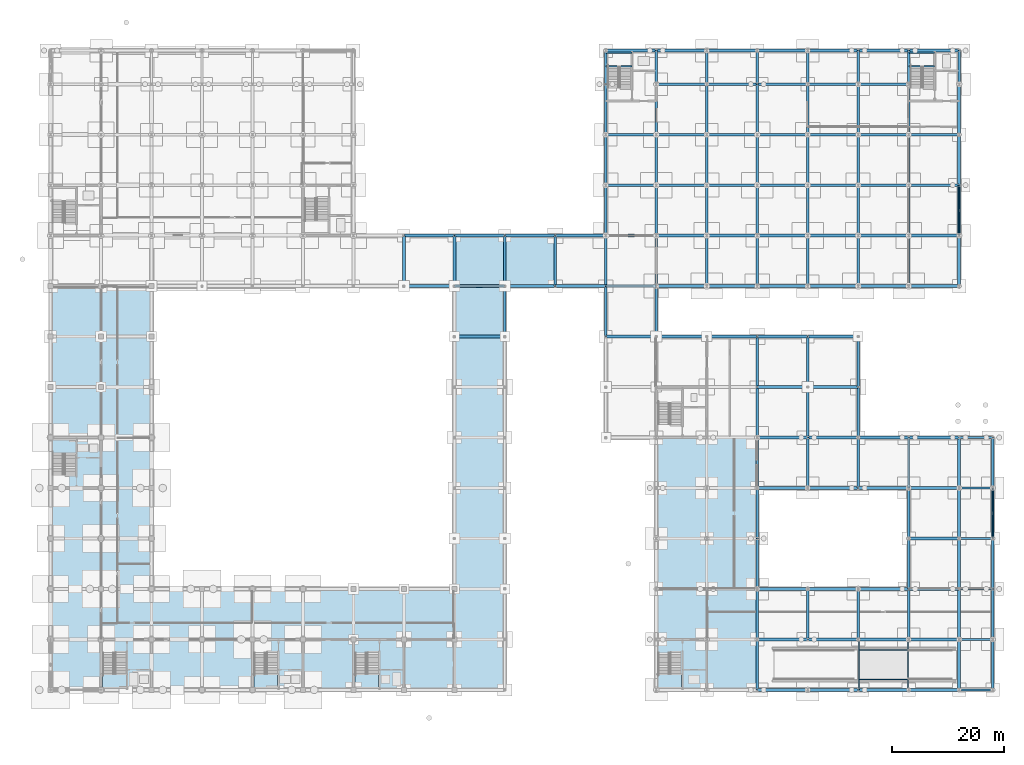
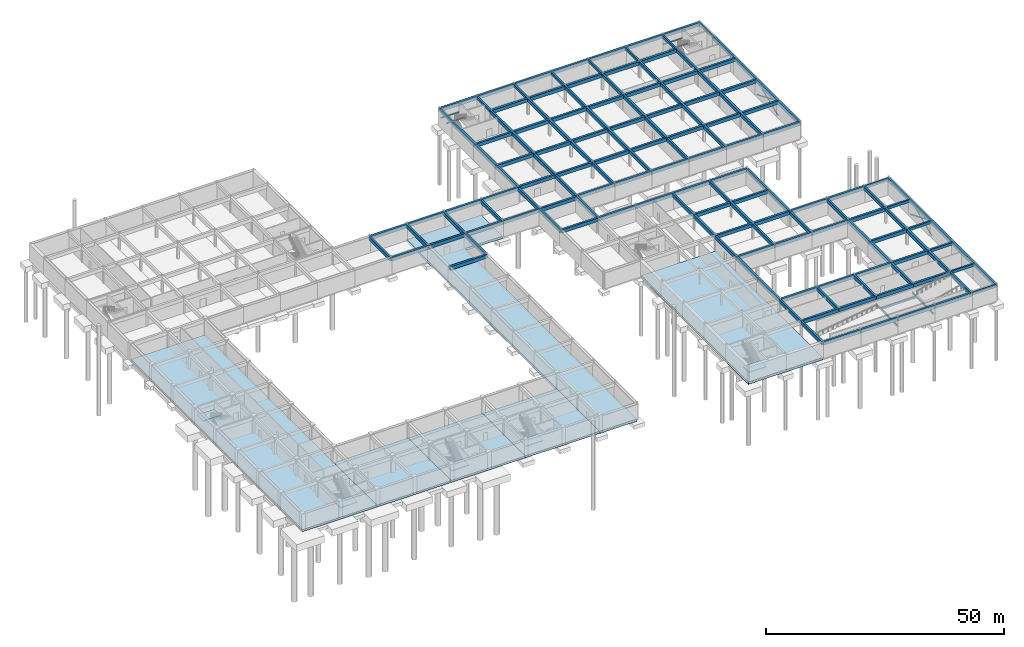
# One storey, part 21 of 41: 167 beams, 11 slabs, 8 members.
"""IFC4 building model written with IfcOpenShell, lengths in metres."""

from ifc_helpers import new_model, si_unit, direction, frame, origin, origin_2d, place, context, subcontext, project, spatial, polyline, rectangle, hollow_rectangle, hollow_circle, i_section, outline, extrude, material, layer, layer_set, material_profile, profile_set, type_object, element, save


model = new_model("IFC4")

# Units and contexts
model_context = context("Model", 3, precision=1e-05, world=origin(), true_north=direction((0.0, 1.0)))
body_context = subcontext(model_context, "Body", "Model", "MODEL_VIEW")
ifc_project = project(units=[si_unit("LENGTHUNIT", "METRE"), si_unit("AREAUNIT", "SQUARE_METRE"), si_unit("VOLUMEUNIT", "CUBIC_METRE"), si_unit("PLANEANGLEUNIT", "RADIAN"), si_unit("MASSUNIT", "GRAM", prefix="KILO")], contexts=[model_context])

# Site, building, storey
site_placement = place(None, origin())
site = spatial("IfcSite", under=ifc_project, at=site_placement, CompositionType="ELEMENT")
building_placement = place(site_placement, origin())
building = spatial("IfcBuilding", under=site, at=building_placement, Name="Palais des Congres Ocreval", CompositionType="ELEMENT")
storey_placement = place(building_placement, frame((0.0, 0.0, -8.9599609375)))
storey = spatial("IfcBuildingStorey", under=building, at=storey_placement, Name="B2", CompositionType="ELEMENT", Elevation=-8.9599609375)

# Beams
ifc_material_1 = material(Name="Concrete C35/45", Category="concrete")
ifc_material_profile_1 = material_profile(ifc_material_1, rectangle(XDim=0.39990234375, YDim=0.699951171875, at=origin_2d()), Name="RC 400x700")
ifc_profile_set_1 = profile_set([ifc_material_profile_1], Name="Concrete C35/45")
beam_type_1 = type_object("IfcBeamType", Name="Basement Beam RC 400x700 Concrete C35/45", PredefinedType="BEAM", material=ifc_profile_set_1)
for number, where, z_axis, x_axis, name in (
    (1, (99.0, 108.02001953125, 3.849853515625), (0.0, 1.0, 0.0), (-1.0, 0.0, 0.0), "Girder TG03 B2"),
    (2, (108.0, 108.02001953125, 3.849853515625), (0.0, 1.0, 0.0), (-1.0, 0.0, 0.0), "Girder TG03 B2"),
    (3, (117.0, 108.02001953125, 3.849853515625), (0.0, 1.0, 0.0), (-1.0, 0.0, 0.0), "Girder TG03 B2"),
    (4, (126.0, 108.02001953125, 3.849853515625), (0.0, 1.0, 0.0), (-1.0, 0.0, 0.0), "Girder TG03 B2"),
    (5, (135.0, 108.02001953125, 3.849853515625), (0.0, 1.0, 0.0), (-1.0, 0.0, 0.0), "Girder TG03 B2"),
    (6, (144.0, 108.02001953125, 3.849853515625), (0.0, 1.0, 0.0), (-1.0, 0.0, 0.0), "Girder TG03 B2"),
    (7, (153.0, 108.02001953125, 3.849853515625), (0.0, 1.0, 0.0), (-1.0, 0.0, 0.0), "Girder TG03 B2"),
    (8, (162.02001953125, 0.0, 3.72998046875), (1.0, 0.0, 0.0), (0.0, 1.0, 0.0), "Beam TG03 B2"),
    (9, (162.02001953125, 9.0, 3.72998046875), (1.0, 0.0, 0.0), (0.0, 1.0, 0.0), "Beam TG03 B2"),
    (10, (162.02001953125, 18.0, 3.72998046875), (1.0, 0.0, 0.0), (0.0, 1.0, 0.0), "Beam TG03 B2"),
    (11, (162.02001953125, 27.0, 3.72998046875), (1.0, 0.0, 0.0), (0.0, 1.0, 0.0), "Beam TG03 B2"),
    (12, (162.02001953125, 36.0, 3.72998046875), (1.0, 0.0, 0.0), (0.0, 1.0, 0.0), "Beam TG03 B2"),
    (13, (162.02001953125, 45.0, 3.72998046875), (1.0, 0.0, 0.0), (0.0, 1.0, 0.0), "Beam TG03 B2"),
    (14, (162.0, 108.02001953125, 3.849853515625), (0.0, 1.0, 0.0), (-1.0, 0.0, 0.0), "Girder TG03 B2"),
):
    element("IfcBeam", number, at=place(storey_placement, frame(where, z_axis=z_axis, x_axis=x_axis)), inside=storey, type_object=beam_type_1, Name=name, PredefinedType="BEAM", context=body_context, shape_type="SweptSolid", body=[
        extrude(rectangle(XDim=0.39990234375, YDim=0.699951171875, at=origin_2d()), origin(), (0.0, 0.0, 1.0), 5.9599609375),
    ])
ifc_material_profile_2 = material_profile(ifc_material_1, rectangle(XDim=0.5, YDim=0.89990234375, at=origin_2d()), Name="RC 500x900")
ifc_profile_set_2 = profile_set([ifc_material_profile_2], Name="Concrete C35/45")
beam_type_2 = type_object("IfcBeamType", Name="Basement Girder RC 500x900 Concrete C35/45", PredefinedType="BEAM", material=ifc_profile_set_2)
for number, where, z_axis, x_axis, name in (
    (15, (63.02001953125, 72.0, 3.580078125), (1.0, 0.0, 0.0), (0.0, 1.0, 0.0), "Beam TG04 B2"),
    (16, (63.0, 72.02001953125, 3.580078125), (0.0, 1.0, 0.0), (-1.0, 0.0, 0.0), "Girder TG04 B2"),
    (17, (63.02001953125, 81.0, 3.580078125), (1.0, 0.0, 0.0), (0.0, 1.0, 0.0), "Beam TG04 B2"),
    (18, (72.02001953125, 63.0, 3.580078125), (1.0, 0.0, 0.0), (0.0, 1.0, 0.0), "Beam TG04 B2"),
    (19, (72.02001953125, 72.0, 3.580078125), (1.0, 0.0, 0.0), (0.0, 1.0, 0.0), "Beam TG04 B2"),
    (20, (72.0, 72.02001953125, 3.580078125), (0.0, 1.0, 0.0), (-1.0, 0.0, 0.0), "Girder TG04 B2"),
    (21, (72.02001953125, 81.0, 3.580078125), (1.0, 0.0, 0.0), (0.0, 1.0, 0.0), "Beam TG04 B2"),
    (22, (81.0, 63.02001953125, 3.580078125), (0.0, 1.0, 0.0), (-1.0, 0.0, 0.0), "Girder TG04 B2"),
    (23, (81.02001953125, 72.0, 3.580078125), (1.0, 0.0, 0.0), (0.0, 1.0, 0.0), "Beam TG04 B2"),
    (24, (81.0, 72.02001953125, 3.580078125), (0.0, 1.0, 0.0), (-1.0, 0.0, 0.0), "Girder TG04 B2"),
    (25, (81.02001953125, 81.0, 3.580078125), (1.0, 0.0, 0.0), (0.0, 1.0, 0.0), "Beam TG04 B2"),
    (26, (90.02001953125, 72.0, 3.580078125), (1.0, 0.0, 0.0), (0.0, 1.0, 0.0), "Beam TG04 B2"),
    (27, (90.0, 72.02001953125, 3.580078125), (0.0, 1.0, 0.0), (-1.0, 0.0, 0.0), "Girder TG04 B2"),
    (28, (90.02001953125, 81.0, 3.580078125), (1.0, 0.0, 0.0), (0.0, 1.0, 0.0), "Beam TG04 B2"),
    (29, (99.02001953125, 63.0, 3.580078125), (1.0, 0.0, 0.0), (0.0, 1.0, 0.0), "Beam TG04 B2"),
    (30, (99.0, 63.02001953125, 3.580078125), (0.0, 1.0, 0.0), (-1.0, 0.0, 0.0), "Girder TG04 B2"),
    (31, (99.02001953125, 72.0, 3.580078125), (1.0, 0.0, 0.0), (0.0, 1.0, 0.0), "Beam TG04 B2"),
    (32, (99.0, 72.02001953125, 3.580078125), (0.0, 1.0, 0.0), (-1.0, 0.0, 0.0), "Girder TG04 B2"),
    (33, (99.02001953125, 81.0, 3.75), (1.0, 0.0, 0.0), (0.0, 1.0, 0.0), "Beam TG04 B2"),
    (34, (99.0, 81.02001953125, 3.75), (0.0, 1.0, 0.0), (-1.0, 0.0, 0.0), "Girder TG04 B2"),
    (35, (99.02001953125, 90.0, 3.75), (1.0, 0.0, 0.0), (0.0, 1.0, 0.0), "Beam TG04 B2"),
    (36, (99.0, 90.02001953125, 3.75), (0.0, 1.0, 0.0), (-1.0, 0.0, 0.0), "Girder TG04 B2"),
    (37, (99.02001953125, 99.0, 3.75), (1.0, 0.0, 0.0), (0.0, 1.0, 0.0), "Beam TG04 B2"),
    (38, (99.0, 99.02001953125, 3.75), (0.0, 1.0, 0.0), (-1.0, 0.0, 0.0), "Girder TG04 B2"),
    (39, (99.02001953125, 114.0, 3.75), (1.0, 0.0, 0.0), (0.0, 1.0, 0.0), "Beam TG04 B2"),
    (40, (108.02001953125, 63.0, 3.580078125), (1.0, 0.0, 0.0), (0.0, 1.0, 0.0), "Beam TG04 B2"),
    (41, (108.0, 63.02001953125, 3.580078125), (0.0, 1.0, 0.0), (-1.0, 0.0, 0.0), "Girder TG04 B2"),
    (42, (108.02001953125, 72.0, 3.75), (1.0, 0.0, 0.0), (0.0, 1.0, 0.0), "Beam TG04 B2"),
    (43, (108.0, 72.02001953125, 3.75), (0.0, 1.0, 0.0), (-1.0, 0.0, 0.0), "Girder TG04 B2"),
    (44, (108.02001953125, 81.0, 3.75), (1.0, 0.0, 0.0), (0.0, 1.0, 0.0), "Beam TG04 B2"),
    (45, (108.0, 81.02001953125, 3.75), (0.0, 1.0, 0.0), (-1.0, 0.0, 0.0), "Girder TG04 B2"),
    (46, (108.02001953125, 90.0, 3.75), (1.0, 0.0, 0.0), (0.0, 1.0, 0.0), "Beam TG04 B2"),
    (47, (108.0, 90.02001953125, 3.75), (0.0, 1.0, 0.0), (-1.0, 0.0, 0.0), "Girder TG04 B2"),
    (48, (108.02001953125, 99.0, 3.75), (1.0, 0.0, 0.0), (0.0, 1.0, 0.0), "Beam TG04 B2"),
    (49, (108.0, 99.02001953125, 3.75), (0.0, 1.0, 0.0), (-1.0, 0.0, 0.0), "Girder TG04 B2"),
    (50, (108.02001953125, 108.0, 3.75), (1.0, 0.0, 0.0), (0.0, 1.0, 0.0), "Beam TG04 B2"),
    (51, (108.02001953125, 114.0, 3.75), (1.0, 0.0, 0.0), (0.0, 1.0, 0.0), "Beam TG04 B2"),
    (52, (117.02001953125, 63.0, 3.580078125), (1.0, 0.0, 0.0), (0.0, 1.0, 0.0), "Beam TG04 B2"),
    (53, (117.02001953125, 72.0, 3.75), (1.0, 0.0, 0.0), (0.0, 1.0, 0.0), "Beam TG04 B2"),
    (54, (117.0, 72.02001953125, 3.75), (0.0, 1.0, 0.0), (-1.0, 0.0, 0.0), "Girder TG04 B2"),
    (55, (117.02001953125, 81.0, 3.75), (1.0, 0.0, 0.0), (0.0, 1.0, 0.0), "Beam TG04 B2"),
    (56, (117.0, 81.02001953125, 3.75), (0.0, 1.0, 0.0), (-1.0, 0.0, 0.0), "Girder TG04 B2"),
    (57, (117.02001953125, 90.0, 3.75), (1.0, 0.0, 0.0), (0.0, 1.0, 0.0), "Beam TG04 B2"),
    (58, (117.0, 90.02001953125, 3.75), (0.0, 1.0, 0.0), (-1.0, 0.0, 0.0), "Girder TG04 B2"),
    (59, (117.02001953125, 99.0, 3.75), (1.0, 0.0, 0.0), (0.0, 1.0, 0.0), "Beam TG04 B2"),
    (60, (117.0, 99.02001953125, 3.75), (0.0, 1.0, 0.0), (-1.0, 0.0, 0.0), "Girder TG04 B2"),
    (61, (117.02001953125, 108.0, 3.75), (1.0, 0.0, 0.0), (0.0, 1.0, 0.0), "Beam TG04 B2"),
    (62, (117.02001953125, 114.0, 3.75), (1.0, 0.0, 0.0), (0.0, 1.0, 0.0), "Beam TG04 B2"),
    (63, (126.02001953125, 0.0, 3.6298828125), (1.0, 0.0, 0.0), (0.0, 1.0, 0.0), "Beam TG04 B2"),
    (64, (126.0, 0.02001953125, 3.6298828125), (0.0, 1.0, 0.0), (-1.0, 0.0, 0.0), "Girder TG04 B2"),
    (65, (126.02001953125, 9.0, 3.6298828125), (1.0, 0.0, 0.0), (0.0, 1.0, 0.0), "Beam TG04 B2"),
    (66, (126.0, 9.02001953125, 3.6298828125), (0.0, 1.0, 0.0), (-1.0, 0.0, 0.0), "Girder TG04 B2"),
    (67, (126.02001953125, 18.0, 3.6298828125), (1.0, 0.0, 0.0), (0.0, 1.0, 0.0), "Beam TG04 B2"),
    (68, (126.0, 18.02001953125, 3.6298828125), (0.0, 1.0, 0.0), (-1.0, 0.0, 0.0), "Girder TG04 B2"),
    (69, (126.0, 27.02001953125, 3.6298828125), (0.0, 1.0, 0.0), (-1.0, 0.0, 0.0), "Girder TG04 B2"),
    (70, (126.02001953125, 36.0, 3.6298828125), (1.0, 0.0, 0.0), (0.0, 1.0, 0.0), "Beam TG04 B2"),
    (71, (126.0, 36.02001953125, 3.6298828125), (0.0, 1.0, 0.0), (-1.0, 0.0, 0.0), "Girder TG04 B2"),
    (72, (126.02001953125, 45.0, 3.6298828125), (1.0, 0.0, 0.0), (0.0, 1.0, 0.0), "Beam TG04 B2"),
    (73, (126.0, 45.02001953125, 3.580078125), (0.0, 1.0, 0.0), (-1.0, 0.0, 0.0), "Girder TG04 B2"),
    (74, (126.02001953125, 54.0, 3.580078125), (1.0, 0.0, 0.0), (0.0, 1.0, 0.0), "Beam TG04 B2"),
    (75, (126.0, 54.02001953125, 3.580078125), (0.0, 1.0, 0.0), (-1.0, 0.0, 0.0), "Girder TG04 B2"),
    (76, (126.02001953125, 63.0, 3.580078125), (1.0, 0.0, 0.0), (0.0, 1.0, 0.0), "Beam TG04 B2"),
    (77, (126.02001953125, 72.0, 3.75), (1.0, 0.0, 0.0), (0.0, 1.0, 0.0), "Beam TG04 B2"),
    (78, (126.0, 72.02001953125, 3.75), (0.0, 1.0, 0.0), (-1.0, 0.0, 0.0), "Girder TG04 B2"),
    (79, (126.02001953125, 81.0, 3.75), (1.0, 0.0, 0.0), (0.0, 1.0, 0.0), "Beam TG04 B2"),
    (80, (126.0, 81.02001953125, 3.75), (0.0, 1.0, 0.0), (-1.0, 0.0, 0.0), "Girder TG04 B2"),
    (81, (126.02001953125, 90.0, 3.75), (1.0, 0.0, 0.0), (0.0, 1.0, 0.0), "Beam TG04 B2"),
    (82, (126.0, 90.02001953125, 3.75), (0.0, 1.0, 0.0), (-1.0, 0.0, 0.0), "Girder TG04 B2"),
    (83, (126.02001953125, 99.0, 3.75), (1.0, 0.0, 0.0), (0.0, 1.0, 0.0), "Beam TG04 B2"),
    (84, (126.0, 99.02001953125, 3.75), (0.0, 1.0, 0.0), (-1.0, 0.0, 0.0), "Girder TG04 B2"),
    (85, (126.02001953125, 108.0, 3.75), (1.0, 0.0, 0.0), (0.0, 1.0, 0.0), "Beam TG04 B2"),
    (86, (126.02001953125, 114.0, 3.75), (1.0, 0.0, 0.0), (0.0, 1.0, 0.0), "Beam TG04 B2"),
    (87, (135.02001953125, 0.0, 3.6298828125), (1.0, 0.0, 0.0), (0.0, 1.0, 0.0), "Beam TG04 B2"),
    (88, (135.02001953125, 9.0, 3.6298828125), (1.0, 0.0, 0.0), (0.0, 1.0, 0.0), "Beam TG04 B2"),
    (89, (135.0, 9.02001953125, 3.6298828125), (0.0, 1.0, 0.0), (-1.0, 0.0, 0.0), "Girder TG04 B2"),
    (90, (135.02001953125, 18.0, 3.6298828125), (1.0, 0.0, 0.0), (0.0, 1.0, 0.0), "Beam TG04 B2"),
    (91, (135.02001953125, 36.0, 3.6298828125), (1.0, 0.0, 0.0), (0.0, 1.0, 0.0), "Beam TG04 B2"),
    (92, (135.0, 36.02001953125, 3.6298828125), (0.0, 1.0, 0.0), (-1.0, 0.0, 0.0), "Girder TG04 B2"),
    (93, (135.02001953125, 45.0, 3.6298828125), (1.0, 0.0, 0.0), (0.0, 1.0, 0.0), "Beam TG04 B2"),
    (94, (135.0, 45.02001953125, 3.580078125), (0.0, 1.0, 0.0), (-1.0, 0.0, 0.0), "Girder TG04 B2"),
    (95, (135.02001953125, 54.0, 3.580078125), (1.0, 0.0, 0.0), (0.0, 1.0, 0.0), "Beam TG04 B2"),
    (96, (135.0, 54.02001953125, 3.580078125), (0.0, 1.0, 0.0), (-1.0, 0.0, 0.0), "Girder TG04 B2"),
    (97, (135.02001953125, 63.0, 3.580078125), (1.0, 0.0, 0.0), (0.0, 1.0, 0.0), "Beam TG04 B2"),
    (98, (135.02001953125, 72.0, 3.75), (1.0, 0.0, 0.0), (0.0, 1.0, 0.0), "Beam TG04 B2"),
    (99, (135.0, 72.02001953125, 3.75), (0.0, 1.0, 0.0), (-1.0, 0.0, 0.0), "Girder TG04 B2"),
    (100, (135.02001953125, 81.0, 3.75), (1.0, 0.0, 0.0), (0.0, 1.0, 0.0), "Beam TG04 B2"),
    (101, (135.0, 81.02001953125, 3.75), (0.0, 1.0, 0.0), (-1.0, 0.0, 0.0), "Girder TG04 B2"),
    (102, (135.02001953125, 90.0, 3.75), (1.0, 0.0, 0.0), (0.0, 1.0, 0.0), "Beam TG04 B2"),
    (103, (135.0, 90.02001953125, 3.75), (0.0, 1.0, 0.0), (-1.0, 0.0, 0.0), "Girder TG04 B2"),
    (104, (135.02001953125, 99.0, 3.75), (1.0, 0.0, 0.0), (0.0, 1.0, 0.0), "Beam TG04 B2"),
    (105, (135.0, 99.02001953125, 3.75), (0.0, 1.0, 0.0), (-1.0, 0.0, 0.0), "Girder TG04 B2"),
    (106, (135.02001953125, 108.0, 3.75), (1.0, 0.0, 0.0), (0.0, 1.0, 0.0), "Beam TG04 B2"),
    (107, (135.02001953125, 114.0, 3.75), (1.0, 0.0, 0.0), (0.0, 1.0, 0.0), "Beam TG04 B2"),
    (108, (144.02001953125, 0.0, 3.6298828125), (1.0, 0.0, 0.0), (0.0, 1.0, 0.0), "Beam TG04 B2"),
    (109, (144.02001953125, 9.0, 3.6298828125), (1.0, 0.0, 0.0), (0.0, 1.0, 0.0), "Beam TG04 B2"),
    (110, (144.0, 9.02001953125, 3.6298828125), (0.0, 1.0, 0.0), (-1.0, 0.0, 0.0), "Girder TG04 B2"),
    (111, (144.02001953125, 18.0, 3.6298828125), (1.0, 0.0, 0.0), (0.0, 1.0, 0.0), "Beam TG04 B2"),
    (112, (144.02001953125, 36.0, 3.6298828125), (1.0, 0.0, 0.0), (0.0, 1.0, 0.0), "Beam TG04 B2"),
    (113, (144.0, 36.02001953125, 3.6298828125), (0.0, 1.0, 0.0), (-1.0, 0.0, 0.0), "Girder TG04 B2"),
    (114, (144.02001953125, 45.0, 3.6298828125), (1.0, 0.0, 0.0), (0.0, 1.0, 0.0), "Beam TG04 B2"),
    (115, (144.0, 45.02001953125, 3.580078125), (0.0, 1.0, 0.0), (-1.0, 0.0, 0.0), "Girder TG04 B2"),
    (116, (144.0, 54.02001953125, 3.580078125), (0.0, 1.0, 0.0), (-1.0, 0.0, 0.0), "Girder TG04 B2"),
    (117, (144.02001953125, 72.0, 3.75), (1.0, 0.0, 0.0), (0.0, 1.0, 0.0), "Beam TG04 B2"),
    (118, (144.0, 72.02001953125, 3.75), (0.0, 1.0, 0.0), (-1.0, 0.0, 0.0), "Girder TG04 B2"),
    (119, (144.02001953125, 81.0, 3.75), (1.0, 0.0, 0.0), (0.0, 1.0, 0.0), "Beam TG04 B2"),
    (120, (144.0, 81.02001953125, 3.75), (0.0, 1.0, 0.0), (-1.0, 0.0, 0.0), "Girder TG04 B2"),
    (121, (144.02001953125, 90.0, 3.75), (1.0, 0.0, 0.0), (0.0, 1.0, 0.0), "Beam TG04 B2"),
    (122, (144.0, 90.02001953125, 3.75), (0.0, 1.0, 0.0), (-1.0, 0.0, 0.0), "Girder TG04 B2"),
    (123, (144.02001953125, 99.0, 3.75), (1.0, 0.0, 0.0), (0.0, 1.0, 0.0), "Beam TG04 B2"),
    (124, (144.0, 99.02001953125, 3.75), (0.0, 1.0, 0.0), (-1.0, 0.0, 0.0), "Girder TG04 B2"),
    (125, (144.02001953125, 108.0, 3.75), (1.0, 0.0, 0.0), (0.0, 1.0, 0.0), "Beam TG04 B2"),
    (126, (144.02001953125, 114.0, 3.75), (1.0, 0.0, 0.0), (0.0, 1.0, 0.0), "Beam TG04 B2"),
    (127, (153.02001953125, 0.0, 3.6298828125), (1.0, 0.0, 0.0), (0.0, 1.0, 0.0), "Beam TG04 B2"),
    (128, (153.02001953125, 9.0, 3.6298828125), (1.0, 0.0, 0.0), (0.0, 1.0, 0.0), "Beam TG04 B2"),
    (129, (153.0, 9.02001953125, 3.6298828125), (0.0, 1.0, 0.0), (-1.0, 0.0, 0.0), "Girder TG04 B2"),
    (130, (153.02001953125, 18.0, 3.6298828125), (1.0, 0.0, 0.0), (0.0, 1.0, 0.0), "Beam TG04 B2"),
    (131, (153.0, 18.02001953125, 3.6298828125), (0.0, 1.0, 0.0), (-1.0, 0.0, 0.0), "Girder TG04 B2"),
    (132, (153.02001953125, 27.0, 3.6298828125), (1.0, 0.0, 0.0), (0.0, 1.0, 0.0), "Beam TG04 B2"),
    (133, (153.0, 27.02001953125, 3.6298828125), (0.0, 1.0, 0.0), (-1.0, 0.0, 0.0), "Girder TG04 B2"),
    (134, (153.02001953125, 36.0, 3.6298828125), (1.0, 0.0, 0.0), (0.0, 1.0, 0.0), "Beam TG04 B2"),
    (135, (153.0, 36.02001953125, 3.6298828125), (0.0, 1.0, 0.0), (-1.0, 0.0, 0.0), "Girder TG04 B2"),
    (136, (153.02001953125, 45.0, 3.6298828125), (1.0, 0.0, 0.0), (0.0, 1.0, 0.0), "Beam TG04 B2"),
    (137, (153.02001953125, 72.0, 3.75), (1.0, 0.0, 0.0), (0.0, 1.0, 0.0), "Beam TG04 B2"),
    (138, (153.0, 72.02001953125, 3.75), (0.0, 1.0, 0.0), (-1.0, 0.0, 0.0), "Girder TG04 B2"),
    (139, (153.02001953125, 81.0, 3.75), (1.0, 0.0, 0.0), (0.0, 1.0, 0.0), "Beam TG04 B2"),
    (140, (153.0, 81.02001953125, 3.75), (0.0, 1.0, 0.0), (-1.0, 0.0, 0.0), "Girder TG04 B2"),
    (141, (153.02001953125, 90.0, 3.75), (1.0, 0.0, 0.0), (0.0, 1.0, 0.0), "Beam TG04 B2"),
    (142, (153.0, 90.02001953125, 3.75), (0.0, 1.0, 0.0), (-1.0, 0.0, 0.0), "Girder TG04 B2"),
    (143, (153.02001953125, 99.0, 3.75), (1.0, 0.0, 0.0), (0.0, 1.0, 0.0), "Beam TG04 B2"),
    (144, (153.0, 99.02001953125, 3.75), (0.0, 1.0, 0.0), (-1.0, 0.0, 0.0), "Girder TG04 B2"),
    (145, (153.02001953125, 114.0, 3.75), (1.0, 0.0, 0.0), (0.0, 1.0, 0.0), "Beam TG04 B2"),
    (146, (162.0, 0.02001953125, 3.6298828125), (0.0, 1.0, 0.0), (-1.0, 0.0, 0.0), "Girder TG04 B2"),
    (147, (162.0, 9.02001953125, 3.6298828125), (0.0, 1.0, 0.0), (-1.0, 0.0, 0.0), "Girder TG04 B2"),
    (148, (162.0, 18.02001953125, 3.6298828125), (0.0, 1.0, 0.0), (-1.0, 0.0, 0.0), "Girder TG04 B2"),
    (149, (162.0, 27.02001953125, 3.6298828125), (0.0, 1.0, 0.0), (-1.0, 0.0, 0.0), "Girder TG04 B2"),
    (150, (162.0, 36.02001953125, 3.6298828125), (0.0, 1.0, 0.0), (-1.0, 0.0, 0.0), "Girder TG04 B2"),
    (151, (162.0, 72.02001953125, 3.75), (0.0, 1.0, 0.0), (-1.0, 0.0, 0.0), "Girder TG04 B2"),
    (152, (162.0, 81.02001953125, 3.75), (0.0, 1.0, 0.0), (-1.0, 0.0, 0.0), "Girder TG04 B2"),
    (153, (162.0, 90.02001953125, 3.75), (0.0, 1.0, 0.0), (-1.0, 0.0, 0.0), "Girder TG04 B2"),
    (154, (162.0, 99.02001953125, 3.75), (0.0, 1.0, 0.0), (-1.0, 0.0, 0.0), "Girder TG04 B2"),
    (155, (168.0, 0.02001953125, 3.6298828125), (0.0, 1.0, 0.0), (-1.0, 0.0, 0.0), "Girder TG04 B2"),
    (156, (168.0, 9.02001953125, 3.6298828125), (0.0, 1.0, 0.0), (-1.0, 0.0, 0.0), "Girder TG04 B2"),
    (157, (168.0, 18.02001953125, 3.6298828125), (0.0, 1.0, 0.0), (-1.0, 0.0, 0.0), "Girder TG04 B2"),
    (158, (168.0, 27.02001953125, 3.6298828125), (0.0, 1.0, 0.0), (-1.0, 0.0, 0.0), "Girder TG04 B2"),
    (159, (168.0, 36.02001953125, 3.6298828125), (0.0, 1.0, 0.0), (-1.0, 0.0, 0.0), "Girder TG04 B2"),
):
    element("IfcBeam", number, at=place(storey_placement, frame(where, z_axis=z_axis, x_axis=x_axis)), inside=storey, type_object=beam_type_2, Name=name, PredefinedType="BEAM", context=body_context, shape_type="SweptSolid", body=[
        extrude(rectangle(XDim=0.5, YDim=0.89990234375, at=origin_2d()), origin(), (0.0, 0.0, 1.0), 8.9599609375),
    ])
ifc_material_2 = material(Name="Steel S355", Category="steel")
ifc_material_profile_3 = material_profile(ifc_material_2, i_section(OverallWidth=0.199951171875, OverallDepth=0.5, WebThickness=0.01025390625, FlangeThickness=0.01611328125, at=origin_2d()), Name="IPE 500")
ifc_profile_set_3 = profile_set([ifc_material_profile_3], Name="Steel S355")
beam_type_3 = type_object("IfcBeamType", Name="Composite Beam IPE 500 Steel S355", PredefinedType="BEAM", material=ifc_profile_set_3)
for number, where, z_axis, x_axis, name in (
    (160, (144.14990234375, 0.02001953125, 1.7900390625), (0.0, 1.0, 0.0), (-1.0, 0.0, 0.0), "Ramp Landing Support Girder RMP2-1"),
    (161, (152.85009765625, 0.02001953125, 1.7900390625), (0.0, 1.0, 0.0), (-1.0, 0.0, 0.0), "Ramp Landing Support Girder RMP2-2"),
):
    element("IfcBeam", number, at=place(storey_placement, frame(where, z_axis=z_axis, x_axis=x_axis)), inside=storey, type_object=beam_type_3, Name=name, PredefinedType="BEAM", context=body_context, shape_type="SweptSolid", body=[
        extrude(i_section(OverallWidth=0.199951171875, OverallDepth=0.5, WebThickness=0.01025390625, FlangeThickness=0.01611328125, at=origin_2d()), origin(), (0.0, 0.0, 1.0), 8.9599609375),
    ])
for number, where, z_axis, x_axis, name in (
    (162, (144.169921875, 1.85009765625, 1.7900390625), (1.0, 0.0, 0.0), (0.0, 1.0, 0.0), "Ramp Landing Support Girder RMP2-3"),
    (163, (144.169921875, 7.14990234375, 1.7900390625), (1.0, 0.0, 0.0), (0.0, 1.0, 0.0), "Ramp Landing Support Girder RMP2-4"),
):
    element("IfcBeam", number, at=place(storey_placement, frame(where, z_axis=z_axis, x_axis=x_axis)), inside=storey, type_object=beam_type_3, Name=name, PredefinedType="BEAM", context=body_context, shape_type="SweptSolid", body=[
        extrude(i_section(OverallWidth=0.199951171875, OverallDepth=0.5, WebThickness=0.01025390625, FlangeThickness=0.01611328125, at=origin_2d()), origin(), (0.0, 0.0, 1.0), 8.66015625),
    ])

# Members
ifc_material_profile_4 = material_profile(ifc_material_2, hollow_circle(Radius=0.06982421875, WallThickness=0.008056640625, at=origin_2d()), Name="CHS 139.7x8")
ifc_profile_set_4 = profile_set([ifc_material_profile_4], Name="Steel S355")
member_type_1 = type_object("IfcMemberType", Name="Diagonal Brace CHS 139.7x8 Steel S355", PredefinedType="BRACE", material=ifc_profile_set_4)
member_1_placement = place(storey_placement, frame((168.0, 27.0400390625, 0.14990234375), z_axis=(0.0, 0.920727782703, 0.390205522974), x_axis=(-1.0, 0.0, 0.0)))
element("IfcMember", 164, at=member_1_placement, inside=storey, type_object=member_type_1, Name="Lateral Brace BR06 B2", PredefinedType="BRACE", context=body_context, shape_type="SweptSolid", body=[
    extrude(hollow_circle(Radius=0.06982421875, WallThickness=0.008056640625, at=origin_2d()), origin(), (0.0, 0.0, 1.0), 4.843994140625),
])
member_2_placement = place(storey_placement, frame((168.0, 31.5, 2.0400390625), z_axis=(0.0, 0.920745889835, 0.39016279468), x_axis=(-1.0, 0.0, 0.0)))
element("IfcMember", 165, at=member_2_placement, inside=storey, type_object=member_type_1, Name="Lateral Brace BR06 B2", PredefinedType="BRACE", context=body_context, shape_type="SweptSolid", body=[
    extrude(hollow_circle(Radius=0.06982421875, WallThickness=0.008056640625, at=origin_2d()), origin(), (0.0, 0.0, 1.0), 4.84375),
])
ifc_material_profile_5 = material_profile(ifc_material_2, hollow_circle(Radius=0.084228515625, WallThickness=0.010009765625, at=origin_2d()), Name="CHS 168.3x10")
ifc_profile_set_5 = profile_set([ifc_material_profile_5], Name="Steel S355")
member_type_2 = type_object("IfcMemberType", Name="Diagonal Brace CHS 168.3x10 Steel S355", PredefinedType="BRACE", material=ifc_profile_set_5)
member_3_placement = place(storey_placement, frame((162.0, 81.0400390625, 0.14990234375), z_axis=(0.0, 0.920727782703, 0.390205522974), x_axis=(-1.0, 0.0, 0.0)))
element("IfcMember", 166, at=member_3_placement, inside=storey, type_object=member_type_2, Name="Lateral Brace BR05 B2", PredefinedType="BRACE", context=body_context, shape_type="SweptSolid", body=[
    extrude(hollow_circle(Radius=0.084228515625, WallThickness=0.010009765625, at=origin_2d()), origin(), (0.0, 0.0, 1.0), 4.843994140625),
])
member_4_placement = place(storey_placement, frame((162.0, 85.5, 2.0400390625), z_axis=(0.0, 0.920745889835, 0.39016279468), x_axis=(-1.0, 0.0, 0.0)))
element("IfcMember", 167, at=member_4_placement, inside=storey, type_object=member_type_2, Name="Lateral Brace BR05 B2", PredefinedType="BRACE", context=body_context, shape_type="SweptSolid", body=[
    extrude(hollow_circle(Radius=0.084228515625, WallThickness=0.010009765625, at=origin_2d()), origin(), (0.0, 0.0, 1.0), 4.84375),
])
ifc_material_profile_6 = material_profile(ifc_material_2, hollow_rectangle(XDim=0.159912109375, YDim=0.159912109375, WallThickness=0.010009765625, at=origin_2d()), Name="RHS 160x160x10")
ifc_profile_set_6 = profile_set([ifc_material_profile_6], Name="Steel S355")
member_type_3 = type_object("IfcMemberType", Name="Lateral Brace RHS 160x160x10 Steel S355", PredefinedType="BRACE", material=ifc_profile_set_6)
member_5_placement = place(storey_placement, frame((168.0, 27.0400390625, 3.929931640625), z_axis=(0.0, 0.920745889835, -0.39016279468), x_axis=(-1.0, 0.0, 0.0)))
element("IfcMember", 168, at=member_5_placement, inside=storey, type_object=member_type_3, Name="Lateral Brace BR08 B2", PredefinedType="BRACE", context=body_context, shape_type="SweptSolid", body=[
    extrude(hollow_rectangle(XDim=0.159912109375, YDim=0.159912109375, WallThickness=0.010009765625, at=origin_2d()), origin(), (0.0, 0.0, 1.0), 4.84375),
])
member_6_placement = place(storey_placement, frame((168.0, 31.5, 2.0400390625), z_axis=(0.0, 0.920727782703, -0.390205522974), x_axis=(-1.0, 0.0, 0.0)))
element("IfcMember", 169, at=member_6_placement, inside=storey, type_object=member_type_3, Name="Lateral Brace BR08 B2", PredefinedType="BRACE", context=body_context, shape_type="SweptSolid", body=[
    extrude(hollow_rectangle(XDim=0.159912109375, YDim=0.159912109375, WallThickness=0.010009765625, at=origin_2d()), origin(), (0.0, 0.0, 1.0), 4.843994140625),
])
ifc_material_profile_7 = material_profile(ifc_material_2, hollow_rectangle(XDim=0.219970703125, YDim=0.219970703125, WallThickness=0.012451171875, at=origin_2d()), Name="RHS 220x220x12.5")
ifc_profile_set_7 = profile_set([ifc_material_profile_7], Name="Steel S355")
member_type_4 = type_object("IfcMemberType", Name="Lateral Brace RHS 220x220x12.5 Steel S355", PredefinedType="BRACE", material=ifc_profile_set_7)
member_7_placement = place(storey_placement, frame((162.0, 81.0400390625, 3.929931640625), z_axis=(0.0, 0.920745889835, -0.39016279468), x_axis=(-1.0, 0.0, 0.0)))
element("IfcMember", 170, at=member_7_placement, inside=storey, type_object=member_type_4, Name="Lateral Brace BR07 B2", PredefinedType="BRACE", context=body_context, shape_type="SweptSolid", body=[
    extrude(hollow_rectangle(XDim=0.219970703125, YDim=0.219970703125, WallThickness=0.012451171875, at=origin_2d()), origin(), (0.0, 0.0, 1.0), 4.84375),
])
member_8_placement = place(storey_placement, frame((162.0, 85.5, 2.0400390625), z_axis=(0.0, 0.920727782703, -0.390205522974), x_axis=(-1.0, 0.0, 0.0)))
element("IfcMember", 171, at=member_8_placement, inside=storey, type_object=member_type_4, Name="Lateral Brace BR07 B2", PredefinedType="BRACE", context=body_context, shape_type="SweptSolid", body=[
    extrude(hollow_rectangle(XDim=0.219970703125, YDim=0.219970703125, WallThickness=0.012451171875, at=origin_2d()), origin(), (0.0, 0.0, 1.0), 4.843994140625),
])

# Beams
ifc_material_profile_8 = material_profile(ifc_material_2, i_section(OverallWidth=0.260009765625, OverallDepth=0.260009765625, WebThickness=0.010009765625, FlangeThickness=0.017578125, at=origin_2d()), Name="HEB 260")
ifc_profile_set_8 = profile_set([ifc_material_profile_8], Name="Steel S355")
beam_type_4 = type_object("IfcBeamType", Name="Opening Lintel HEB 260 Steel S355", PredefinedType="LINTEL", material=ifc_profile_set_8)
for number, where, z_axis, x_axis, name in (
    (172, (99.02001953125, 111.239990234375, 1.909912109375), (1.0, 0.0, 0.0), (0.0, 1.0, 0.0), "Stair Landing Support Beam ST07 B2-1"),
    (173, (99.02001953125, 113.580078125, 1.909912109375), (1.0, 0.0, 0.0), (0.0, 1.0, 0.0), "Stair Landing Support Beam ST07 B2-2"),
    (174, (153.02001953125, 111.239990234375, 1.909912109375), (1.0, 0.0, 0.0), (0.0, 1.0, 0.0), "Stair Landing Support Beam ST08 B2-1"),
    (175, (153.02001953125, 113.580078125, 1.909912109375), (1.0, 0.0, 0.0), (0.0, 1.0, 0.0), "Stair Landing Support Beam ST08 B2-2"),
):
    element("IfcBeam", number, at=place(storey_placement, frame(where, z_axis=z_axis, x_axis=x_axis)), inside=storey, type_object=beam_type_4, Name=name, PredefinedType="LINTEL", context=body_context, shape_type="SweptSolid", body=[
        extrude(i_section(OverallWidth=0.260009765625, OverallDepth=0.260009765625, WebThickness=0.010009765625, FlangeThickness=0.017578125, at=origin_2d()), origin(), (0.0, 0.0, 1.0), 4.60986328125),
    ])

# Slabs
ifc_layer_1 = layer(ifc_material_1, 0.52001953125)
ifc_layer_set_1 = layer_set([ifc_layer_1], Name="Core Foundation Mat 520 Concrete C35/45")
slab_type_1 = type_object("IfcSlabType", Name="Core Foundation Mat 520 Concrete C35/45", PredefinedType="BASESLAB", material=ifc_layer_set_1)
slab_1_placement = place(storey_placement, frame((0.0, 0.0, -0.52001953125)))
element("IfcSlab", 176, at=slab_1_placement, inside=storey, type_object=slab_type_1, Name="Floor Slab SL02 B2 V4-1", PredefinedType="BASESLAB", context=body_context, shape_type="SweptSolid", body=[
    extrude(outline(polyline([(0.0, 0.0), (0.0, 18.0), (0.0, 72.0), (18.0, 72.0), (18.0, 18.0), (18.0, 0.0), (0.0, 0.0)])), origin(), (0.0, 0.0, 1.0), 0.52001953125),
])
slab_2_placement = place(storey_placement, frame((0.0, 0.0, -0.52001953125)))
element("IfcSlab", 177, at=slab_2_placement, inside=storey, type_object=slab_type_1, Name="Floor Slab SL02 B2 V4-2", PredefinedType="BASESLAB", context=body_context, shape_type="SweptSolid", body=[
    extrude(outline(polyline([(18.0, 0.0), (18.0, 18.0), (36.0, 18.0), (36.0, 0.0), (18.0, 0.0)])), origin(), (0.0, 0.0, 1.0), 0.52001953125),
])
slab_3_placement = place(storey_placement, frame((0.0, 0.0, -0.52001953125)))
element("IfcSlab", 178, at=slab_3_placement, inside=storey, type_object=slab_type_1, Name="Floor Slab SL02 B2 V4-3", PredefinedType="BASESLAB", context=body_context, shape_type="SweptSolid", body=[
    extrude(outline(polyline([(36.0, 0.0), (36.0, 18.0), (54.0, 18.0), (54.0, 0.0), (36.0, 0.0)])), origin(), (0.0, 0.0, 1.0), 0.52001953125),
])
slab_4_placement = place(storey_placement, frame((0.0, 0.0, -0.52001953125)))
element("IfcSlab", 179, at=slab_4_placement, inside=storey, type_object=slab_type_1, Name="Floor Slab SL02 B2 V4-4", PredefinedType="BASESLAB", context=body_context, shape_type="SweptSolid", body=[
    extrude(outline(polyline([(72.0, 0.0), (54.0, 0.0), (54.0, 18.0), (72.0, 18.0), (72.0, 0.0)])), origin(), (0.0, 0.0, 1.0), 0.52001953125),
])
ifc_layer_2 = layer(ifc_material_1, 0.60009765625)
ifc_layer_set_2 = layer_set([ifc_layer_2], Name="Foundation Mat Slab 600 Concrete C35/45")
slab_type_2 = type_object("IfcSlabType", Name="Foundation Mat Slab 600 Concrete C35/45", PredefinedType="BASESLAB", material=ifc_layer_set_2)
slab_5_placement = place(storey_placement, frame((0.0, 0.0, -0.60009765625)))
element("IfcSlab", 180, at=slab_5_placement, inside=storey, type_object=slab_type_2, Name="Floor Slab SL01 B2 V3-1", PredefinedType="BASESLAB", context=body_context, shape_type="SweptSolid", body=[
    extrude(outline(polyline([(108.0, 0.0), (108.0, 18.0), (108.0, 45.0), (126.0, 45.0), (126.0, 36.0), (126.0, 18.0), (126.0, 0.0), (108.0, 0.0)])), origin(), (0.0, 0.0, 1.0), 0.60009765625),
])
slab_6_placement = place(storey_placement, frame((0.0, 0.0, -0.60009765625)))
element("IfcSlab", 181, at=slab_6_placement, inside=storey, type_object=slab_type_2, Name="Floor Slab SL01 B2 V5-5", PredefinedType="BASESLAB", context=body_context, shape_type="SweptSolid", body=[
    extrude(outline(polyline([(90.0, 81.0), (90.0, 72.0), (81.0, 72.0), (81.0, 0.0), (72.0, 0.0), (72.0, 72.0), (72.0, 81.0), (90.0, 81.0)])), origin(), (0.0, 0.0, 1.0), 0.60009765625),
])
ifc_material_3 = material(Name="Concrete C40/50", Category="concrete")
ifc_layer_3 = layer(ifc_material_3, 0.199951171875)
ifc_layer_set_3 = layer_set([ifc_layer_3], Name="Stair and Ramp Landing Slab 200 Concrete C40/50")
slab_type_3 = type_object("IfcSlabType", Name="Stair and Ramp Landing Slab 200 Concrete C40/50", PredefinedType="LANDING", material=ifc_layer_set_3)
slab_7_placement = place(storey_placement, frame((0.0, 0.0, 2.0400390625)))
element("IfcSlab", 182, at=slab_7_placement, inside=storey, type_object=slab_type_3, Name="Stair Half-Landing ST01 B2", PredefinedType="LANDING", context=body_context, shape_type="SweptSolid", body=[
    extrude(outline(polyline([(9.300048828125, 0.300048828125), (13.5, 0.300048828125), (13.5, 2.8798828125), (9.300048828125, 2.8798828125), (9.300048828125, 0.300048828125)])), origin(), (0.0, 0.0, 1.0), 0.199951171875),
])
slab_8_placement = place(storey_placement, frame((0.0, 0.0, 2.0400390625)))
element("IfcSlab", 183, at=slab_8_placement, inside=storey, type_object=slab_type_3, Name="Stair Half-Landing ST02 B2", PredefinedType="LANDING", context=body_context, shape_type="SweptSolid", body=[
    extrude(outline(polyline([(36.300048828125, 0.300048828125), (40.5, 0.300048828125), (40.5, 2.8798828125), (36.300048828125, 2.8798828125), (36.300048828125, 0.300048828125)])), origin(), (0.0, 0.0, 1.0), 0.199951171875),
])
slab_9_placement = place(storey_placement, frame((0.0, 0.0, 2.0400390625)))
element("IfcSlab", 184, at=slab_9_placement, inside=storey, type_object=slab_type_3, Name="Stair Half-Landing ST03 B2", PredefinedType="LANDING", context=body_context, shape_type="SweptSolid", body=[
    extrude(outline(polyline([(0.300048828125, 42.1201171875), (4.5, 42.1201171875), (4.5, 44.699951171875), (0.300048828125, 44.699951171875), (0.300048828125, 42.1201171875)])), origin(), (0.0, 0.0, 1.0), 0.199951171875),
])
slab_10_placement = place(storey_placement, frame((0.0, 0.0, 2.0400390625)))
element("IfcSlab", 185, at=slab_10_placement, inside=storey, type_object=slab_type_3, Name="Stair Half-Landing ST04 B2", PredefinedType="LANDING", context=body_context, shape_type="SweptSolid", body=[
    extrude(outline(polyline([(54.300048828125, 0.300048828125), (58.5, 0.300048828125), (58.5, 2.8798828125), (54.300048828125, 2.8798828125), (54.300048828125, 0.300048828125)])), origin(), (0.0, 0.0, 1.0), 0.199951171875),
])
slab_11_placement = place(storey_placement, frame((0.0, 0.0, 2.0400390625)))
element("IfcSlab", 186, at=slab_11_placement, inside=storey, type_object=slab_type_3, Name="Stair Half-Landing ST09 B2", PredefinedType="LANDING", context=body_context, shape_type="SweptSolid", body=[
    extrude(outline(polyline([(108.300048828125, 0.300048828125), (112.5, 0.300048828125), (112.5, 2.8798828125), (108.300048828125, 2.8798828125), (108.300048828125, 0.300048828125)])), origin(), (0.0, 0.0, 1.0), 0.199951171875),
])

save(model, "model.ifc")
